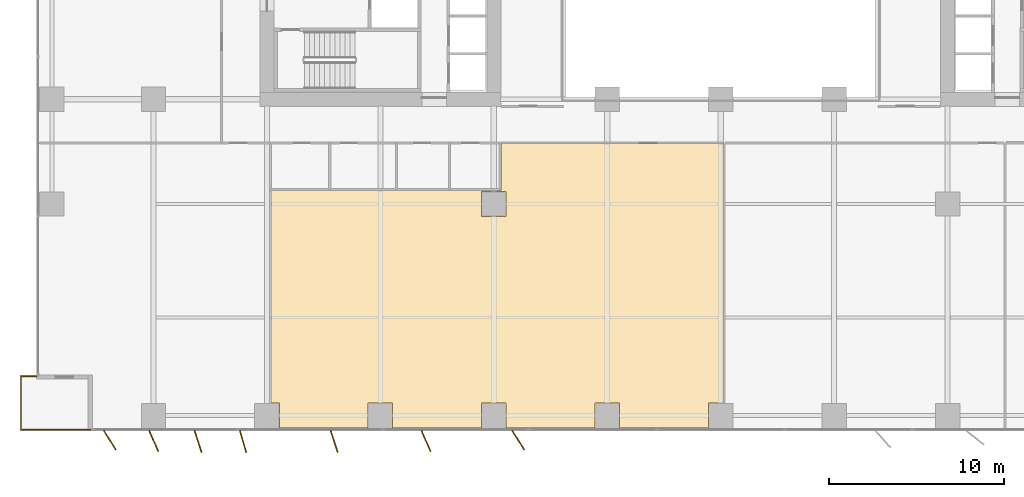
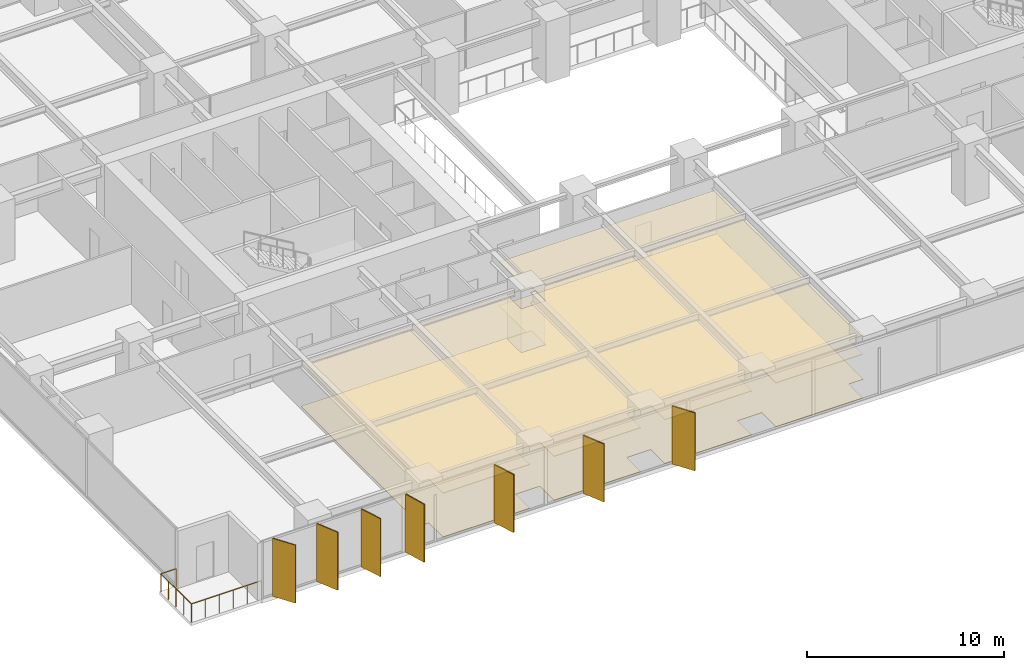
# One storey, part 17 of 21: 7 shading devices, 2 coverings, 1 railing.
"""IFC4 building model written with IfcOpenShell, lengths in metres."""

from ifc_helpers import new_model, si_unit, direction, frame, origin, origin_2d, place, context, subcontext, project, spatial, polyline, rectangle, circle, outline, extrude, material, layer, layer_set, type_object, element, save


model = new_model("IFC4")

# Units and contexts
model_context = context("Model", 3, precision=1e-05, world=origin(), true_north=direction((0.0, 1.0)))
body_context = subcontext(model_context, "Body", "Model", "MODEL_VIEW")
ifc_project = project(units=[si_unit("LENGTHUNIT", "METRE"), si_unit("AREAUNIT", "SQUARE_METRE"), si_unit("VOLUMEUNIT", "CUBIC_METRE"), si_unit("PLANEANGLEUNIT", "RADIAN"), si_unit("MASSUNIT", "GRAM", prefix="KILO")], contexts=[model_context])

# Site, building, storey
site_placement = place(None, origin())
site = spatial("IfcSite", under=ifc_project, at=site_placement, CompositionType="ELEMENT")
building_placement = place(site_placement, origin())
building = spatial("IfcBuilding", under=site, at=building_placement, Name="Putna Gate Headquarters", CompositionType="ELEMENT")
storey_placement = place(building_placement, frame((0.0, 0.0, 39.199951171875)))
storey = spatial("IfcBuildingStorey", under=building, at=storey_placement, Name="L08", CompositionType="ELEMENT", Elevation=39.199951171875)

# Coverings
ifc_material_1 = material(Name="Perforated mineral-fibre acoustic ceiling tile")
ifc_layer_1 = layer(ifc_material_1, 0.0400390625)
ifc_layer_set_1 = layer_set([ifc_layer_1], Name="Perforated mineral-fibre acoustic ceiling tile")
covering_type_1 = type_object("IfcCoveringType", Name="COV-ACOUSTIC-CEILING", PredefinedType="CEILING", material=ifc_layer_set_1)
covering_1_placement = place(storey_placement, frame((0.0, 0.0, 2.7099609375)))
element("IfcCovering", 1, at=covering_1_placement, inside=storey, type_object=covering_type_1, Name="L08 Acoustic Ceiling Covering 1", PredefinedType="CEILING", context=body_context, shape_type="SweptSolid", body=[
    extrude(outline(polyline([(38.31201171875, 0.172119140625), (38.2919921875, 0.172119140625), (38.2919921875, 1.587890625), (39.159912109375, 1.587890625), (39.159912109375, 16.4599609375), (26.39990234375, 16.4599609375), (26.39990234375, 13.780029296875), (13.239990234375, 13.780029296875), (13.239990234375, 1.587890625), (13.7080078125, 1.587890625), (13.7080078125, 0.172119140625), (13.68798828125, 0.172119140625), (13.68798828125, 0.159912109375), (18.81201171875, 0.159912109375), (18.81201171875, 0.172119140625), (18.7919921875, 0.172119140625), (18.7919921875, 1.587890625), (20.2080078125, 1.587890625), (20.2080078125, 0.172119140625), (20.18798828125, 0.172119140625), (20.18798828125, 0.159912109375), (25.31201171875, 0.159912109375), (25.31201171875, 0.172119140625), (25.2919921875, 0.172119140625), (25.2919921875, 1.587890625), (26.7080078125, 1.587890625), (26.7080078125, 0.172119140625), (26.68798828125, 0.172119140625), (26.68798828125, 0.159912109375), (31.81201171875, 0.159912109375), (31.81201171875, 0.172119140625), (31.7919921875, 0.172119140625), (31.7919921875, 1.587890625), (33.2080078125, 1.587890625), (33.2080078125, 0.172119140625), (33.18798828125, 0.172119140625), (33.18798828125, 0.159912109375), (38.31201171875, 0.159912109375), (38.31201171875, 0.172119140625)]), holes=[polyline([(26.7080078125, 12.2919921875), (26.7080078125, 13.7080078125), (25.2919921875, 13.7080078125), (25.2919921875, 12.2919921875), (26.7080078125, 12.2919921875)])]), origin(), (0.0, 0.0, 1.0), 0.0400390625),
])
ifc_material_2 = material(Name="Calcium-sulphate raised access floor finish")
ifc_layer_2 = layer(ifc_material_2, 0.030029296875)
ifc_layer_set_2 = layer_set([ifc_layer_2], Name="Calcium-sulphate raised access floor finish")
covering_type_2 = type_object("IfcCoveringType", Name="COV-RAISED-FLOORING", PredefinedType="FLOORING", material=ifc_layer_set_2)
covering_2_placement = place(storey_placement, origin())
element("IfcCovering", 2, at=covering_2_placement, inside=storey, type_object=covering_type_2, Name="L08 Raised Access Floor Covering 1", PredefinedType="FLOORING", context=body_context, shape_type="SweptSolid", body=[
    extrude(outline(polyline([(38.31201171875, 0.172119140625), (38.2919921875, 0.172119140625), (38.2919921875, 1.587890625), (39.159912109375, 1.587890625), (39.159912109375, 16.4599609375), (26.39990234375, 16.4599609375), (26.39990234375, 13.780029296875), (13.239990234375, 13.780029296875), (13.239990234375, 1.587890625), (13.7080078125, 1.587890625), (13.7080078125, 0.172119140625), (13.68798828125, 0.172119140625), (13.68798828125, 0.159912109375), (18.81201171875, 0.159912109375), (18.81201171875, 0.172119140625), (18.7919921875, 0.172119140625), (18.7919921875, 1.587890625), (20.2080078125, 1.587890625), (20.2080078125, 0.172119140625), (20.18798828125, 0.172119140625), (20.18798828125, 0.159912109375), (25.31201171875, 0.159912109375), (25.31201171875, 0.172119140625), (25.2919921875, 0.172119140625), (25.2919921875, 1.587890625), (26.7080078125, 1.587890625), (26.7080078125, 0.172119140625), (26.68798828125, 0.172119140625), (26.68798828125, 0.159912109375), (31.81201171875, 0.159912109375), (31.81201171875, 0.172119140625), (31.7919921875, 0.172119140625), (31.7919921875, 1.587890625), (33.2080078125, 1.587890625), (33.2080078125, 0.172119140625), (33.18798828125, 0.172119140625), (33.18798828125, 0.159912109375), (38.31201171875, 0.159912109375), (38.31201171875, 0.172119140625)]), holes=[polyline([(26.7080078125, 12.2919921875), (26.7080078125, 13.7080078125), (25.2919921875, 13.7080078125), (25.2919921875, 12.2919921875), (26.7080078125, 12.2919921875)])]), origin(), (0.0, 0.0, 1.0), 0.030029296875),
])

# Railing
ifc_material_3 = material(Name="Anodised bronze steel and laminated glass guardrail", Category="steel")
railing_type = type_object("IfcRailingType", Name="RAIL-TERR-GUARD-1150", PredefinedType="GUARDRAIL", material=ifc_material_3)
railing_placement = place(storey_placement, frame((3.0, 0.06005859375, 0.0)))
element("IfcRailing", 3, at=railing_placement, inside=storey, type_object=railing_type, Name="L08 Spiral Sky Terrace Guardrail SW", PredefinedType="GUARDRAIL", context=body_context, shape_type="SweptSolid", body=[
    extrude(circle(Radius=0.02392578125, at=origin_2d()), frame((0.0, 0.0, 1.1259765625), z_axis=(-1.0, 0.0, 0.0), x_axis=(0.0, -1.0, 0.0)), (0.0, 0.0, 1.0), 4.090087890625),
    extrude(circle(Radius=0.02392578125, at=origin_2d()), frame((-4.090087890625, 0.0, 1.1259765625), z_axis=(0.0, 1.0, 0.0), x_axis=(-1.0, 0.0, 0.0)), (0.0, 0.0, 1.0), 3.079833984375),
    extrude(circle(Radius=0.02392578125, at=origin_2d()), frame((-4.090087890625, 3.079833984375, 1.1259765625), z_axis=(1.0, 0.0, 0.0), x_axis=(0.0, 1.0, 0.0)), (0.0, 0.0, 1.0), 0.89013671875),
    extrude(circle(Radius=0.02099609375, at=origin_2d()), origin(), (0.0, 0.0, 1.0), 1.101806640625),
    extrude(circle(Radius=0.02099609375, at=origin_2d()), frame((-0.818115234375, 0.0, 0.0)), (0.0, 0.0, 1.0), 1.101806640625),
    extrude(circle(Radius=0.02099609375, at=origin_2d()), frame((-1.635986328125, 0.0, 0.0)), (0.0, 0.0, 1.0), 1.101806640625),
    extrude(circle(Radius=0.02099609375, at=origin_2d()), frame((-2.4541015625, 0.0, 0.0)), (0.0, 0.0, 1.0), 1.101806640625),
    extrude(circle(Radius=0.02099609375, at=origin_2d()), frame((-3.27197265625, 0.0, 0.0)), (0.0, 0.0, 1.0), 1.101806640625),
    extrude(circle(Radius=0.02099609375, at=origin_2d()), frame((-4.090087890625, 0.0, 0.0)), (0.0, 0.0, 1.0), 1.101806640625),
    extrude(circle(Radius=0.02099609375, at=origin_2d()), frame((-4.090087890625, 0.77001953125, 0.0)), (0.0, 0.0, 1.0), 1.101806640625),
    extrude(circle(Radius=0.02099609375, at=origin_2d()), frame((-4.090087890625, 1.5400390625, 0.0)), (0.0, 0.0, 1.0), 1.101806640625),
    extrude(circle(Radius=0.02099609375, at=origin_2d()), frame((-4.090087890625, 2.309814453125, 0.0)), (0.0, 0.0, 1.0), 1.101806640625),
    extrude(circle(Radius=0.02099609375, at=origin_2d()), frame((-4.090087890625, 3.079833984375, 0.0)), (0.0, 0.0, 1.0), 1.101806640625),
    extrude(circle(Radius=0.02099609375, at=origin_2d()), frame((-3.199951171875, 3.079833984375, 0.0)), (0.0, 0.0, 1.0), 1.101806640625),
])

# Shading devices
ifc_material_4 = material(Name="Anodised architectural bronze aluminium fin", Category="aluminium")
ifc_layer_3 = layer(ifc_material_4, 0.06494140625)
ifc_layer_set_3 = layer_set([ifc_layer_3], Name="Anodised architectural bronze aluminium fin")
shading_device_type = type_object("IfcShadingDeviceType", Name="SHADE-BRONZE-FIN-1320", PredefinedType="USERDEFINED", material=ifc_layer_set_3)
for number, where, z_axis, x_axis, name in (
    (4, (4.000244140625, -0.534423828125, -0.02001953125), (0.0, 0.0, 1.0), (0.530659123936, -0.847585331506, 0.0), "L08 Bronze Vertical Shading Fin S1"),
    (5, (6.514404296875, -0.57958984375, -0.02001953125), (0.0, 0.0, 1.0), (0.400668879095, -0.916222925562, 0.0), "L08 Bronze Vertical Shading Fin S2"),
    (6, (9.0537109375, -0.602783203125, -0.02001953125), (0.0, 0.0, 1.0), (0.308684994204, -0.951164325631, 0.0), "L08 Bronze Vertical Shading Fin S3"),
    (7, (11.6318359375, -0.609375, -0.02001953125), (0.0, 0.0, 1.0), (0.275637355817, -0.961261695938, 0.0), "L08 Bronze Vertical Shading Fin S4"),
    (8, (16.853759765625, -0.602783203125, -0.02001953125), (0.0, 0.0, 1.0), (0.308684994204, -0.951164325631, 0.0), "L08 Bronze Vertical Shading Fin S5"),
    (9, (22.114501953125, -0.57958984375, -0.02001953125), (0.0, 0.0, 1.0), (0.400668879095, -0.916222925562, 0.0), "L08 Bronze Vertical Shading Fin S6"),
    (10, (27.400146484375, -0.534423828125, -0.02001953125), (0.0, 0.0, 1.0), (0.530659123936, -0.847585331506, 0.0), "L08 Bronze Vertical Shading Fin S7"),
):
    element("IfcShadingDevice", number, at=place(storey_placement, frame(where, z_axis=z_axis, x_axis=x_axis)), inside=storey, type_object=shading_device_type, Name=name, ObjectType="FIN", PredefinedType="USERDEFINED", context=body_context, shape_type="SweptSolid", body=[
        extrude(rectangle(XDim=1.320068359375, YDim=0.06494140625, at=origin_2d()), origin(), (0.0, 0.0, 1.0), 3.590087890625),
    ])

save(model, "model.ifc")
